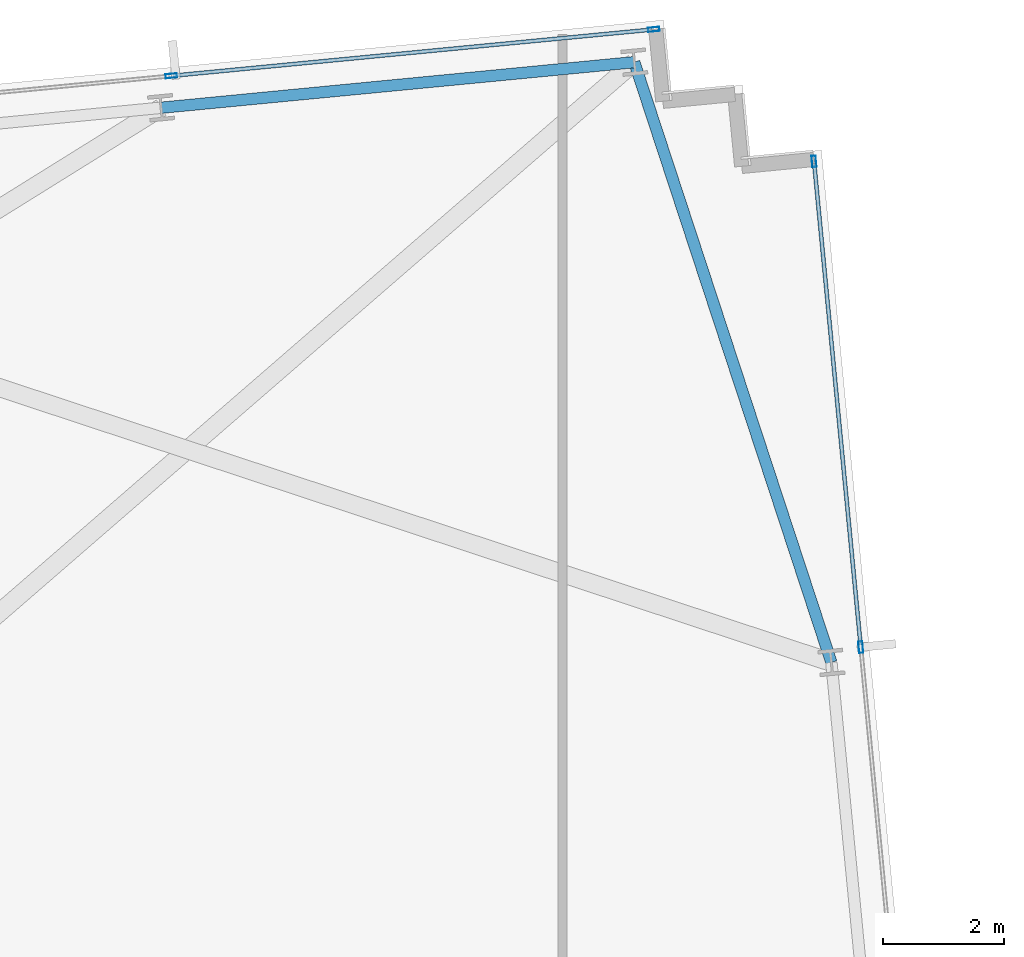
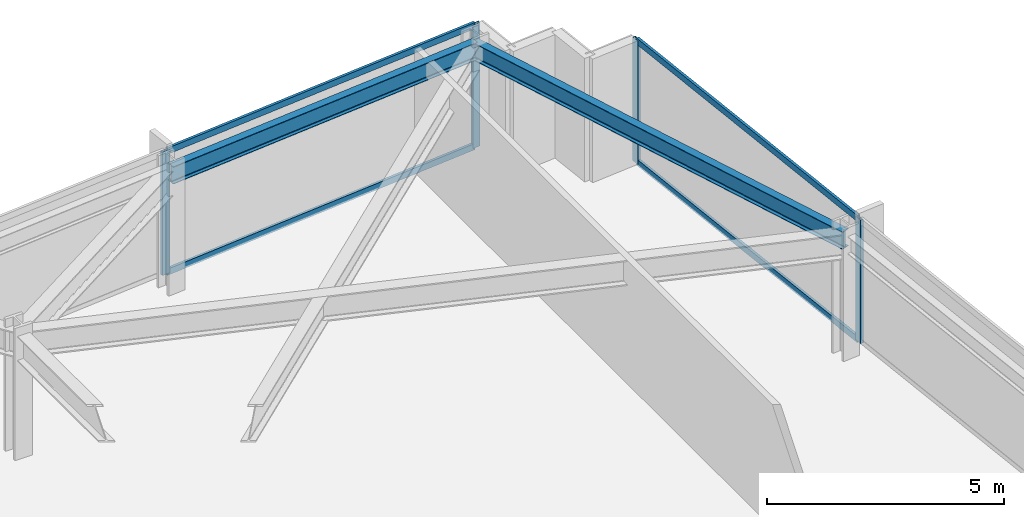
# One storey, part 23 of 32: 8 members, 2 beams, 2 elements without a shape of their own.
"""IFC4 building model written with IfcOpenShell, lengths in metres."""

from ifc_helpers import new_model, si_unit, direction, frame, origin, origin_2d, place, context, subcontext, project, spatial, hollow_rectangle, i_section, extrude, material, material_profile, profile_set, type_object, element, aggregate, save


model = new_model("IFC4")

# Units and contexts
model_context = context("Model", 3, precision=1e-05, world=origin(), true_north=direction((0.0, 1.0)))
body_context = subcontext(model_context, "Body", "Model", "MODEL_VIEW")
ifc_project = project(units=[si_unit("LENGTHUNIT", "METRE"), si_unit("AREAUNIT", "SQUARE_METRE"), si_unit("VOLUMEUNIT", "CUBIC_METRE"), si_unit("PLANEANGLEUNIT", "RADIAN"), si_unit("MASSUNIT", "GRAM", prefix="KILO")], contexts=[model_context])

# Site, building, storey
site_placement = place(None, origin())
site = spatial("IfcSite", under=ifc_project, at=site_placement, CompositionType="ELEMENT")
building_placement = place(site_placement, origin())
building = spatial("IfcBuilding", under=site, at=building_placement, Name="Yelkora Congress Tower", CompositionType="ELEMENT")
storey_placement = place(building_placement, frame((0.0, 0.0, 99.89990234375)))
storey = spatial("IfcBuildingStorey", under=building, at=storey_placement, Name="L26", CompositionType="ELEMENT", Elevation=99.89990234375)

# Beams
ifc_material_1 = material(Name="Steel S355J2", Category="steel")
ifc_material_profile_1 = material_profile(ifc_material_1, i_section(OverallWidth=0.18994140625, OverallDepth=0.449951171875, WebThickness=0.009521484375, FlangeThickness=0.0146484375, FilletRadius=0.02099609375, at=origin_2d()), Name="IPE 450")
ifc_profile_set_1 = profile_set([ifc_material_profile_1], Name="Steel S355J2")
beam_type = type_object("IfcBeamType", Name="BM-SPAN-IPE450", PredefinedType="SPANDREL", material=ifc_profile_set_1)
beam_1_placement = place(storey_placement, frame((74.522216796875, 40.610595703125, 2.955078125), z_axis=(-0.311961656523, 0.950094692575, 0.0), x_axis=(-0.950094692575, -0.311961656523, 0.0)))
element("IfcBeam", 1, at=beam_1_placement, inside=storey, type_object=beam_type, Name="L26 Perimeter Beam 13", PredefinedType="SPANDREL", context=body_context, shape_type="SweptSolid", body=[
    extrude(i_section(OverallWidth=0.18994140625, OverallDepth=0.449951171875, WebThickness=0.009521484375, FlangeThickness=0.0146484375, FilletRadius=0.02099609375, at=origin_2d()), origin(), (0.0, 0.0, 1.0), 10.48046875),
])
beam_2_placement = place(storey_placement, frame((71.252685546875, 50.568115234375, 2.955078125), z_axis=(-0.995392621281, -0.095882894719, 0.0), x_axis=(0.095882894719, -0.995392621281, 0.0)))
element("IfcBeam", 2, at=beam_2_placement, inside=storey, type_object=beam_type, Name="L26 Perimeter Beam 14", PredefinedType="SPANDREL", context=body_context, shape_type="SweptSolid", body=[
    extrude(i_section(OverallWidth=0.18994140625, OverallDepth=0.449951171875, WebThickness=0.009521484375, FlangeThickness=0.0146484375, FilletRadius=0.02099609375, at=origin_2d()), origin(), (0.0, 0.0, 1.0), 7.8857421875),
])

# Curtain wall, members
ifc_material_2 = material(Name="Anodised aluminium and insulated glass", Category="aluminium")
curtain_wall_type = type_object("IfcCurtainWallType", Name="CW-SYS-B2", PredefinedType="NOTDEFINED", material=ifc_material_2)
curtain_wall_1_placement = place(storey_placement, origin())
curtain_wall_1 = element("IfcCurtainWall", 3, at=curtain_wall_1_placement, inside=storey, type_object=curtain_wall_type, Name="L26 Unitised Curtain Wall 10 (3)", PredefinedType="NOTDEFINED")
ifc_material_3 = material(Name="Anodised aluminium 6063-T6", Category="aluminium")
ifc_material_profile_2 = material_profile(ifc_material_3, hollow_rectangle(XDim=0.070068359375, YDim=0.18994140625, WallThickness=0.00390625, at=origin_2d()), Name="ALU 70x190x4")
ifc_profile_set_2 = profile_set([ifc_material_profile_2], Name="Anodised aluminium 6063-T6")
member_type_1 = type_object("IfcMemberType", Name="MEM-ML-B2", PredefinedType="MULLION", material=ifc_profile_set_2)
member_1_placement = place(storey_placement, frame((63.572021484375, 50.3408203125, 0.0), z_axis=(0.0, 0.0, 1.0), x_axis=(-0.095844238468, 0.995396344153, 0.0)))
member_1 = element("IfcMember", 4, at=member_1_placement, type_object=member_type_1, Name="CW-B2 mullion 6", PredefinedType="MULLION", context=body_context, shape_type="SweptSolid", body=[
    extrude(hollow_rectangle(XDim=0.070068359375, YDim=0.18994140625, WallThickness=0.00390625, at=origin_2d()), origin(), (0.0, 0.0, 1.0), 3.18017578125),
])
member_2_placement = place(storey_placement, frame((71.5771484375, 51.111572265625, 0.0), z_axis=(0.0, 0.0, 1.0), x_axis=(-0.095844238468, 0.995396344153, 0.0)))
member_2 = element("IfcMember", 5, at=member_2_placement, type_object=member_type_1, Name="CW-B2 mullion 7", PredefinedType="MULLION", context=body_context, shape_type="SweptSolid", body=[
    extrude(hollow_rectangle(XDim=0.070068359375, YDim=0.18994140625, WallThickness=0.00390625, at=origin_2d()), origin(), (0.0, 0.0, 1.0), 3.18017578125),
])

curtain_wall_2_placement = place(storey_placement, origin())
curtain_wall_2 = element("IfcCurtainWall", 6, at=curtain_wall_2_placement, inside=storey, type_object=curtain_wall_type, Name="L26 Unitised Curtain Wall 15", PredefinedType="NOTDEFINED")
member_3_placement = place(storey_placement, frame((74.234375, 48.921142578125, 0.0), z_axis=(0.0, 0.0, 1.0), x_axis=(0.995396507508, 0.095842541913, 0.0)))
member_3 = element("IfcMember", 7, at=member_3_placement, type_object=member_type_1, Name="CW-B2 mullion 1", PredefinedType="MULLION", context=body_context, shape_type="SweptSolid", body=[
    extrude(hollow_rectangle(XDim=0.070068359375, YDim=0.18994140625, WallThickness=0.00390625, at=origin_2d()), origin(), (0.0, 0.0, 1.0), 3.18017578125),
])
member_4_placement = place(storey_placement, frame((75.010009765625, 40.863525390625, 0.0), z_axis=(0.0, 0.0, 1.0), x_axis=(0.995396507508, 0.095842541913, 0.0)))
member_4 = element("IfcMember", 8, at=member_4_placement, type_object=member_type_1, Name="CW-B2 mullion 2", PredefinedType="MULLION", context=body_context, shape_type="SweptSolid", body=[
    extrude(hollow_rectangle(XDim=0.070068359375, YDim=0.18994140625, WallThickness=0.00390625, at=origin_2d()), origin(), (0.0, 0.0, 1.0), 3.18017578125),
])

# Member
ifc_material_profile_3 = material_profile(ifc_material_3, hollow_rectangle(XDim=0.06494140625, YDim=0.159912109375, WallThickness=0.00390625, at=origin_2d()), Name="ALU 65x160x4")
ifc_profile_set_3 = profile_set([ifc_material_profile_3], Name="Anodised aluminium 6063-T6")
member_type_2 = type_object("IfcMemberType", Name="MEM-TR-B2", PredefinedType="USERDEFINED", material=ifc_profile_set_3)
member_5_placement = place(storey_placement, frame((63.606689453125, 50.343994140625, 0.03271484375), z_axis=(0.995395553311, 0.095852451448, 0.0), x_axis=(-0.095852451448, 0.995395553311, 0.0)))
member_5 = element("IfcMember", 9, at=member_5_placement, type_object=member_type_2, Name="CW-B2 transom 6.1", ObjectType="TRANSOM", PredefinedType="USERDEFINED", context=body_context, shape_type="SweptSolid", body=[
    extrude(hollow_rectangle(XDim=0.06494140625, YDim=0.159912109375, WallThickness=0.00390625, at=origin_2d()), origin(), (0.0, 0.0, 1.0), 7.97216796875),
])

member_6_placement = place(storey_placement, frame((63.606689453125, 50.343994140625, 3.147705078125), z_axis=(0.995395553311, 0.095852451448, 0.0), x_axis=(-0.095852451448, 0.995395553311, 0.0)))
member_6 = element("IfcMember", 10, at=member_6_placement, type_object=member_type_2, Name="CW-B2 transom 6.2", ObjectType="TRANSOM", PredefinedType="USERDEFINED", context=body_context, shape_type="SweptSolid", body=[
    extrude(hollow_rectangle(XDim=0.06494140625, YDim=0.159912109375, WallThickness=0.00390625, at=origin_2d()), origin(), (0.0, 0.0, 1.0), 7.97216796875),
])

aggregate(curtain_wall_1, [member_1, member_2, member_5, member_6])

member_7_placement = place(storey_placement, frame((74.237548828125, 48.88623046875, 0.03271484375), z_axis=(0.095861385662, -0.995394692943, 0.0), x_axis=(0.995394692943, 0.095861385662, 0.0)))
member_7 = element("IfcMember", 11, at=member_7_placement, type_object=member_type_2, Name="CW-B2 transom 1.1", ObjectType="TRANSOM", PredefinedType="USERDEFINED", context=body_context, shape_type="SweptSolid", body=[
    extrude(hollow_rectangle(XDim=0.06494140625, YDim=0.159912109375, WallThickness=0.00390625, at=origin_2d()), origin(), (0.0, 0.0, 1.0), 8.02490234375),
])

member_8_placement = place(storey_placement, frame((74.237548828125, 48.88623046875, 3.147705078125), z_axis=(0.095861385662, -0.995394692943, 0.0), x_axis=(0.995394692943, 0.095861385662, 0.0)))
member_8 = element("IfcMember", 12, at=member_8_placement, type_object=member_type_2, Name="CW-B2 transom 1.2", ObjectType="TRANSOM", PredefinedType="USERDEFINED", context=body_context, shape_type="SweptSolid", body=[
    extrude(hollow_rectangle(XDim=0.06494140625, YDim=0.159912109375, WallThickness=0.00390625, at=origin_2d()), origin(), (0.0, 0.0, 1.0), 8.02490234375),
])

aggregate(curtain_wall_2, [member_3, member_4, member_7, member_8])

save(model, "model.ifc")
